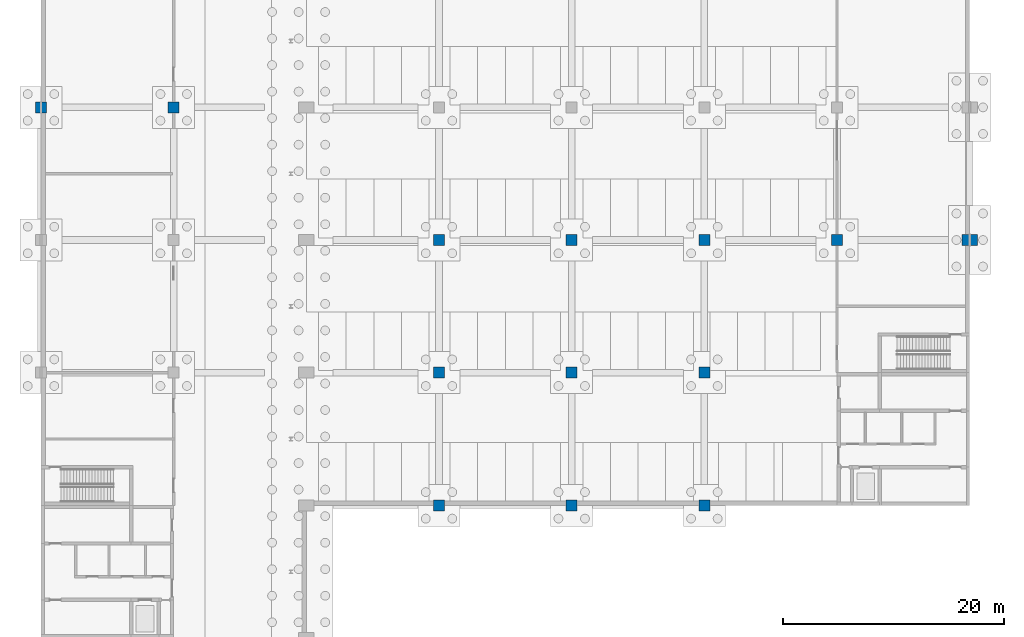
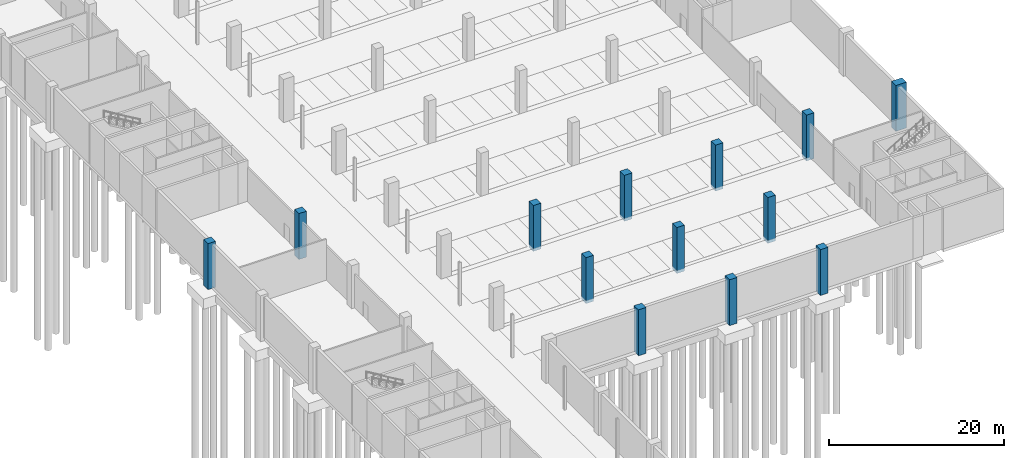
# One storey, part 8 of 34: 13 columns.
"""IFC4 building model written with IfcOpenShell, lengths in metres."""

import ifcopenshell
import ifcopenshell.guid

model = None  # the IFC model being written
_history = None  # IfcOwnerHistory: only IFC2X3 demands one
_inside = {}  # id of a spatial element -> (the spatial element, [elements in it])
_under = {}  # id of a project, library or spatial element -> (it, [spatial elements below it])
_declared = {}  # id of a project -> (the project, [libraries it declares])
_typed = {}  # id of a type object -> (the type object, [elements of that type])
_made_of = {}  # id of a material, layer set ... -> (it, [elements and type objects made of it])


def new_model(schema):
    """Start an empty IFC model of exactly this schema.

    Asked for "IFC4X3", IfcOpenShell would pick the latest addendum, in which some entities
    have other attributes; the version numbers below select the first issue.
    IFC2X3 requires an IfcOwnerHistory on every rooted entity: one is made here for all.
    """
    global model, _history
    if schema == "IFC4X3":
        model = ifcopenshell.file(schema_version=(4, 3, 0, 0))
    else:
        model = ifcopenshell.file(schema=schema)
    _inside.clear()
    _under.clear()
    _declared.clear()
    _typed.clear()
    _made_of.clear()
    _history = None
    if model.schema == "IFC2X3":
        org = make("IfcOrganization", Name="unknown")
        user = make(
            "IfcPersonAndOrganization",
            ThePerson=make("IfcPerson", FamilyName="unknown"),
            TheOrganization=org,
        )
        app = make(
            "IfcApplication",
            ApplicationDeveloper=org,
            Version="unknown",
            ApplicationFullName="unknown",
            ApplicationIdentifier="unknown",
        )
        _history = make(
            "IfcOwnerHistory",
            OwningUser=user,
            OwningApplication=app,
            ChangeAction="ADDED",
            CreationDate=0,
        )
    return model


def make(cls, **values):
    """One entity of the class cls with the attributes given. An attribute that is None is left unset."""
    return model.create_entity(
        cls, **{name: value for name, value in values.items() if value is not None}
    )


def rooted(cls, **values):
    """An entity with a GlobalId (a new one), such as an element, a storey or a relation."""
    return make(cls, GlobalId=ifcopenshell.guid.new(), OwnerHistory=_history, **values)


def si_unit(unit_type, name, prefix=None):
    """IfcSIUnit, for example si_unit("LENGTHUNIT", "METRE", prefix="MILLI")."""
    return make("IfcSIUnit", UnitType=unit_type, Prefix=prefix, Name=name)


def assignment(units):
    """IfcUnitAssignment: the units of a project."""
    return None if units is None else make("IfcUnitAssignment", Units=units)


def point(xyz):
    """IfcCartesianPoint."""
    return None if xyz is None else make("IfcCartesianPoint", Coordinates=xyz)


def direction(xyz):
    """IfcDirection."""
    return None if xyz is None else make("IfcDirection", DirectionRatios=xyz)


def frame(location, z_axis=None, x_axis=None):
    """IfcAxis2Placement3D, a coordinate frame: its origin and axes. An axis left out is left unset."""
    return make(
        "IfcAxis2Placement3D",
        Location=point(location),
        Axis=direction(z_axis),
        RefDirection=direction(x_axis),
    )


def frame_2d(location, x_axis=None):
    """IfcAxis2Placement2D, a coordinate frame in the plane: its origin and x axis."""
    return make(
        "IfcAxis2Placement2D", Location=point(location), RefDirection=direction(x_axis)
    )


def origin():
    """The frame at (0, 0, 0) with its axes left unset."""
    return frame((0.0, 0.0, 0.0))


def origin_2d():
    """The frame at (0, 0) in the plane with its x axis left unset."""
    return frame_2d((0.0, 0.0))


def place(relative_to, where):
    """IfcLocalPlacement: puts the frame where relative to a parent placement (None: the world)."""
    return make(
        "IfcLocalPlacement", PlacementRelTo=relative_to, RelativePlacement=where
    )


def context(
    kind, dimensions, precision=None, world=None, true_north=None, identifier=None
):
    """IfcGeometricRepresentationContext, for example the 3D "Model" context."""
    return make(
        "IfcGeometricRepresentationContext",
        ContextIdentifier=identifier,
        ContextType=kind,
        CoordinateSpaceDimension=dimensions,
        Precision=precision,
        WorldCoordinateSystem=world,
        TrueNorth=true_north,
    )


def subcontext(parent, identifier, kind, view, scale=None):
    """IfcGeometricRepresentationSubContext, for example "Body" below "Model"."""
    return make(
        "IfcGeometricRepresentationSubContext",
        ContextIdentifier=identifier,
        ContextType=kind,
        ParentContext=parent,
        TargetScale=scale,
        TargetView=view,
    )


def project(units=None, contexts=None):
    """IfcProject with its units and contexts."""
    return rooted(
        "IfcProject",
        Name="project",
        RepresentationContexts=contexts,
        UnitsInContext=assignment(units),
    )


def spatial(cls, under=None, at=None, **own):
    """A site, building, storey or space (cls), placed at a placement, below another one or the project."""
    s = rooted(cls, ObjectPlacement=at, **own)
    if under is not None:
        _under.setdefault(under.id(), (under, []))[1].append(s)
    return s


def profile(cls, at=None, kind="AREA", **sizes):
    """A parametric profile (cls). Its sizes go by their IFC names, for example OverallWidth=200.0."""
    return make(cls, ProfileType=kind, Position=at, **sizes)


def rectangle(**sizes):
    """IfcRectangleProfileDef."""
    return profile("IfcRectangleProfileDef", **sizes)


def extrude(swept, where, along, depth):
    """IfcExtrudedAreaSolid: the profile swept, set in the frame where, extruded along a direction by depth."""
    return make(
        "IfcExtrudedAreaSolid",
        SweptArea=swept,
        Position=where,
        ExtrudedDirection=direction(along),
        Depth=depth,
    )


def shape(context_of_items, identifier, shape_type, items):
    """IfcShapeRepresentation: the items that make up one representation, for example the "Body"."""
    return make(
        "IfcShapeRepresentation",
        ContextOfItems=context_of_items,
        RepresentationIdentifier=identifier,
        RepresentationType=shape_type,
        Items=items,
    )


def material(Name=None, Category=None):
    """IfcMaterial."""
    return make("IfcMaterial", Name=Name, Category=Category)


def material_profile(
    of_material, cross_section, Name=None, Category=None, Priority=None
):
    """IfcMaterialProfile: a cross section and its material."""
    return make(
        "IfcMaterialProfile",
        Name=Name,
        Material=of_material,
        Profile=cross_section,
        Priority=Priority,
        Category=Category,
    )


def profile_set(profiles, Name=None, composite=None):
    """IfcMaterialProfileSet."""
    return make(
        "IfcMaterialProfileSet",
        Name=Name,
        MaterialProfiles=profiles,
        CompositeProfile=composite,
    )


def made_of(thing, what):
    """Note that an element or type object is made of a material, layer set ...; save() writes the relation."""
    if what is not None:
        _made_of.setdefault(what.id(), (what, []))[1].append(thing)
    return thing


def type_object(cls, material=None, **own):
    """A type object (cls), such as IfcWallType, which elements share."""
    return made_of(rooted(cls, **own), material)


def element(
    cls,
    number,
    at=None,
    inside=None,
    cuts=None,
    type_object=None,
    material=None,
    context=None,
    identifier="Body",
    shape_type=None,
    held_by="IfcProductDefinitionShape",
    body=None,
    shapes=None,
    **own,
):
    """One element of the class cls, such as IfcWall. Its Tag is "e" and its number.

    at: its placement. inside: the storey or other place that contains it. cuts: it is an
    opening in that element (IfcRelVoidsElement). A single representation is given by context,
    identifier, shape_type and body (its items); several are given by shapes. held_by: the class
    of the entity that holds the representations. save() writes the other relations.
    """
    e = rooted(cls, Tag="e%d" % number, ObjectPlacement=at, **own)
    if body is not None:
        shapes = [shape(context, identifier, shape_type, body)]
    if shapes is not None:
        e.Representation = make(held_by, Representations=shapes)
    if inside is not None:
        _inside.setdefault(inside.id(), (inside, []))[1].append(e)
    if cuts is not None:
        rooted(
            "IfcRelVoidsElement", RelatingBuildingElement=cuts, RelatedOpeningElement=e
        )
    if type_object is not None:
        _typed.setdefault(type_object.id(), (type_object, []))[1].append(e)
    return made_of(e, material)


def aggregate(whole, parts):
    """IfcRelAggregates: a whole, such as a stair, and the parts it consists of."""
    return rooted("IfcRelAggregates", RelatingObject=whole, RelatedObjects=parts)


def save(model, path):
    """Write the relations noted so far, then the file.

    IfcRelAggregates (storeys below a building ...), IfcRelContainedInSpatialStructure (elements
    in a storey), IfcRelDefinesByType, IfcRelAssociatesMaterial and IfcRelDeclares: one each for
    every whole, place, type object, material and project.
    """
    for whole, parts in _under.values():
        aggregate(whole, parts)
    for where, things in _inside.values():
        rooted(
            "IfcRelContainedInSpatialStructure",
            RelatedElements=things,
            RelatingStructure=where,
        )
    for kind, things in _typed.values():
        rooted("IfcRelDefinesByType", RelatedObjects=things, RelatingType=kind)
    for what, things in _made_of.values():
        rooted("IfcRelAssociatesMaterial", RelatedObjects=things, RelatingMaterial=what)
    for by, libraries in _declared.values():
        rooted("IfcRelDeclares", RelatingContext=by, RelatedDefinitions=libraries)
    model.write(path)


model = new_model("IFC4")

# Units and contexts
model_context = context("Model", 3, precision=1e-05, world=origin(), true_north=direction((0.0, 1.0)))
body_context = subcontext(model_context, "Body", "Model", "MODEL_VIEW")
ifc_project = project(units=[si_unit("LENGTHUNIT", "METRE"), si_unit("AREAUNIT", "SQUARE_METRE"), si_unit("VOLUMEUNIT", "CUBIC_METRE"), si_unit("PLANEANGLEUNIT", "RADIAN"), si_unit("MASSUNIT", "GRAM", prefix="KILO")], contexts=[model_context])

# Site, building, storey
site_placement = place(None, origin())
site = spatial("IfcSite", under=ifc_project, at=site_placement, CompositionType="ELEMENT")
building_placement = place(site_placement, origin())
building = spatial("IfcBuilding", under=site, at=building_placement, Name="Lilac Gate Convention Centre", CompositionType="ELEMENT")
storey_placement = place(building_placement, frame((0.0, 0.0, -6.0)))
storey = spatial("IfcBuildingStorey", under=building, at=storey_placement, Name="B1", CompositionType="ELEMENT", Elevation=-6.0)

# Columns
ifc_material = material(Name="Concrete C40", Category="concrete")
ifc_material_profile_1 = material_profile(ifc_material, rectangle(XDim=1.0, YDim=1.0, at=origin_2d()), Name="RC 1000x1000")
ifc_profile_set_1 = profile_set([ifc_material_profile_1], Name="Concrete C40")
column_type_1 = type_object("IfcColumnType", Name="RC column 1000x1000 C40", PredefinedType="COLUMN", material=ifc_profile_set_1)
for number, where, z_axis, x_axis, name in (
    (1, (6.0, 138.0, -0.39990234375), (0.0, 0.0, 1.0), (1.0, 0.0, 0.0), "C1 B1 at 1/K"),
    (2, (18.0, 138.0, -0.39990234375), (0.0, 0.0, 1.0), (1.0, 0.0, 0.0), "C1 B1 at 2/K"),
    (3, (42.0, 102.0, -0.39990234375), (0.0, 0.0, 1.0), (1.0, 0.0, 0.0), "C1 B1 at 4/G"),
    (4, (42.0, 114.0, -0.39990234375), (0.0, 0.0, 1.0), (1.0, 0.0, 0.0), "C1 B1 at 4/H"),
    (5, (42.0, 126.0, -0.39990234375), (0.0, 0.0, 1.0), (1.0, 0.0, 0.0), "C1 B1 at 4/J"),
    (6, (54.0, 102.0, -0.39990234375), (0.0, 0.0, 1.0), (1.0, 0.0, 0.0), "C1 B1 at 5/G"),
    (7, (54.0, 114.0, -0.39990234375), (0.0, 0.0, 1.0), (1.0, 0.0, 0.0), "C1 B1 at 5/H"),
    (8, (54.0, 126.0, -0.39990234375), (0.0, 0.0, 1.0), (1.0, 0.0, 0.0), "C1 B1 at 5/J"),
    (9, (66.0, 102.0, -0.39990234375), (0.0, 0.0, 1.0), (1.0, 0.0, 0.0), "C1 B1 at 6/G"),
    (10, (66.0, 114.0, -0.39990234375), (0.0, 0.0, 1.0), (1.0, 0.0, 0.0), "C1 B1 at 6/H"),
    (11, (66.0, 126.0, -0.39990234375), (0.0, 0.0, 1.0), (1.0, 0.0, 0.0), "C1 B1 at 6/J"),
    (12, (78.0, 126.0, -0.39990234375), (0.0, 0.0, 1.0), (1.0, 0.0, 0.0), "C1 B1 at 7/J"),
):
    element("IfcColumn", number, at=place(storey_placement, frame(where, z_axis=z_axis, x_axis=x_axis)), inside=storey, type_object=column_type_1, Name=name, PredefinedType="COLUMN", context=body_context, shape_type="SweptSolid", body=[
        extrude(rectangle(XDim=1.0, YDim=1.0, at=origin_2d()), origin(), (0.0, 0.0, 1.0), 6.39990234375),
    ])
ifc_material_profile_2 = material_profile(ifc_material, rectangle(XDim=1.39990234375, YDim=1.0, at=origin_2d()), Name="RC 1400x1000")
ifc_profile_set_2 = profile_set([ifc_material_profile_2], Name="Concrete C40")
column_type_2 = type_object("IfcColumnType", Name="RC hall column 1400x1000 C40", PredefinedType="COLUMN", material=ifc_profile_set_2)
column_placement = place(storey_placement, frame((90.0, 126.0, -0.39990234375), z_axis=(0.0, 0.0, 1.0), x_axis=(1.0, 0.0, 0.0)))
element("IfcColumn", 13, at=column_placement, inside=storey, type_object=column_type_2, Name="C2 B1 at 8/J", PredefinedType="COLUMN", context=body_context, shape_type="SweptSolid", body=[
    extrude(rectangle(XDim=1.39990234375, YDim=1.0, at=origin_2d()), origin(), (0.0, 0.0, 1.0), 6.39990234375),
])

save(model, "model.ifc")
